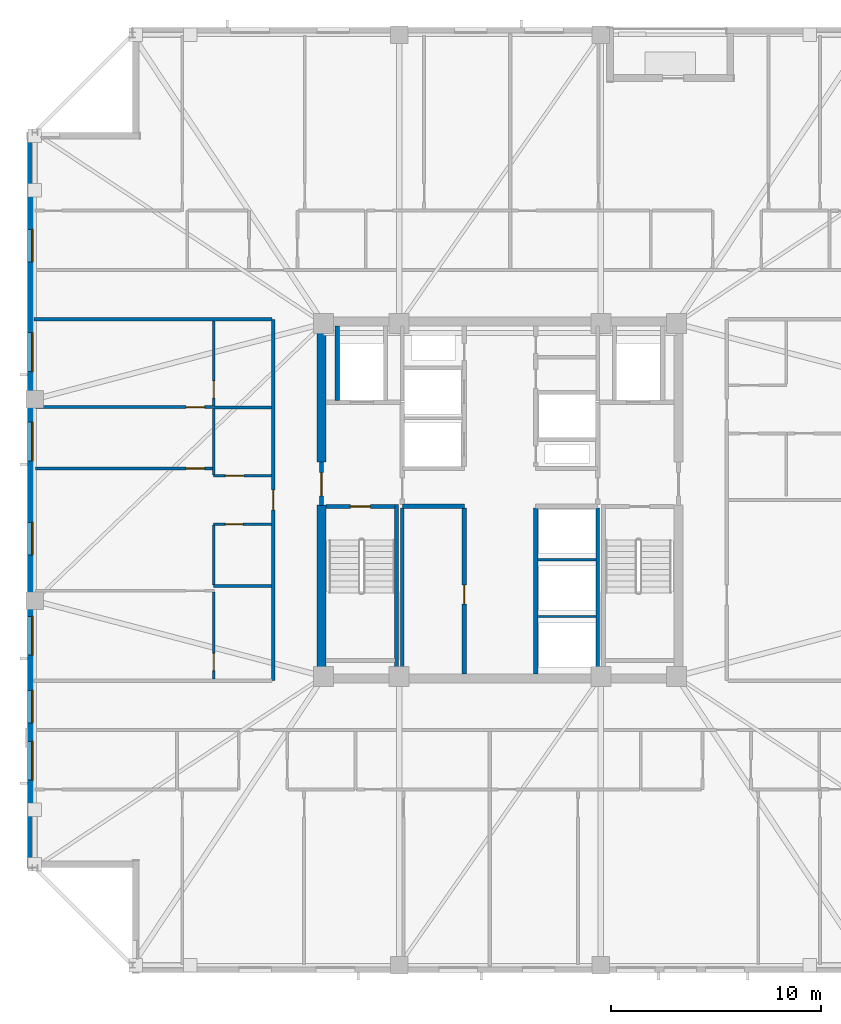
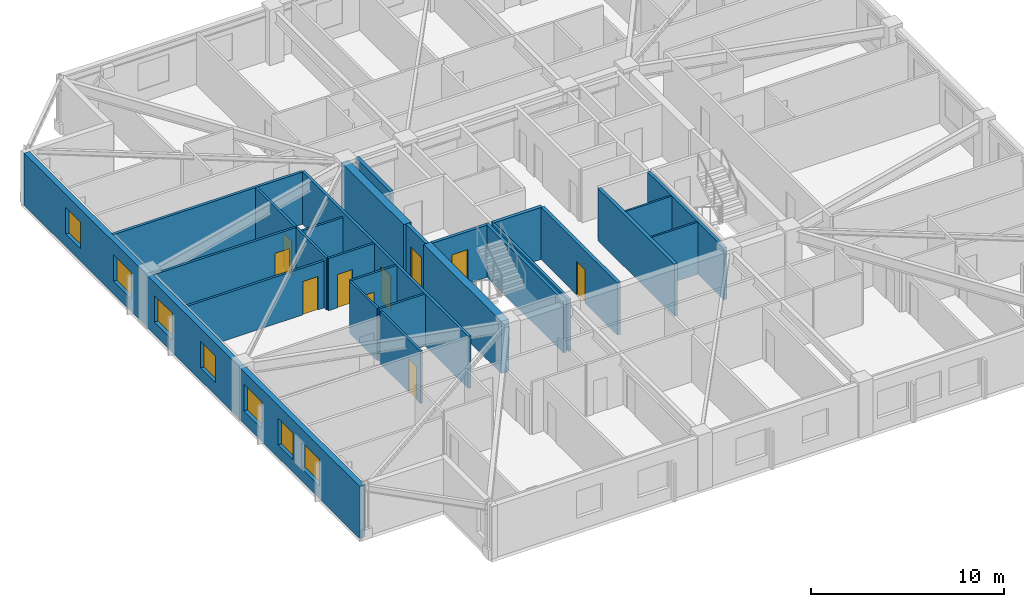
# One storey, part 8 of 17: 26 walls, 10 doors, 7 windows, 17 openings.
"""IFC4 building model written with IfcOpenShell, lengths in metres."""

from ifc_helpers import new_model, si_unit, direction, frame, frame_2d, origin, place, context, subcontext, project, spatial, rectangle, extrude, material, layer, layer_set, type_object, element, fill, save


model = new_model("IFC4")

# Units and contexts
model_context = context("Model", 3, precision=1e-05, world=origin(), true_north=direction((0.0, 1.0)))
body_context = subcontext(model_context, "Body", "Model", "MODEL_VIEW")
ifc_project = project(units=[si_unit("LENGTHUNIT", "METRE"), si_unit("AREAUNIT", "SQUARE_METRE"), si_unit("VOLUMEUNIT", "CUBIC_METRE"), si_unit("PLANEANGLEUNIT", "RADIAN"), si_unit("MASSUNIT", "GRAM", prefix="KILO")], contexts=[model_context])

# Site, building, storey
site_placement = place(None, origin())
site = spatial("IfcSite", under=ifc_project, at=site_placement, CompositionType="ELEMENT")
building_placement = place(site_placement, origin())
building = spatial("IfcBuilding", under=site, at=building_placement, Name="Cairnveth Concourse Tower", CompositionType="ELEMENT")
storey_placement = place(building_placement, frame((0.0, 0.0, 202.5)))
storey = spatial("IfcBuildingStorey", under=building, at=storey_placement, Name="L55", CompositionType="ELEMENT", Elevation=202.5)

# Wall
ifc_material_1 = material(Name="Gypsum Plasterboard Partition", Category="gypsum")
ifc_layer_1 = layer(ifc_material_1, 0.159912109375)
ifc_layer_set_1 = layer_set([ifc_layer_1], Name="Gypsum Plasterboard Partition")
wall_type_1 = type_object("IfcWallType", Name="ACOUSTIC PARTY WALL 180", PredefinedType="PARTITIONING", material=ifc_layer_set_1)
wall_1_placement = place(storey_placement, frame((47.35009765625, 30.7099609375, 0.0), z_axis=(0.0, 0.0, 1.0), x_axis=(0.0, 1.0, 0.0)))
element("IfcWall", 1, at=wall_1_placement, inside=storey, type_object=wall_type_1, Name="Interior Wall IW-L55-025", PredefinedType="PARTITIONING", context=body_context, shape_type="SweptSolid", body=[
    extrude(rectangle(XDim=7.905029296875, YDim=0.159912109375, at=frame_2d((3.95263671875, 0.0))), origin(), (0.0, 0.0, 1.0), 3.2900390625),
])

# Wall, opening, door
wall_2_placement = place(storey_placement, frame((41.199951171875, 30.39990234375, 0.0), z_axis=(0.0, 0.0, 1.0), x_axis=(0.0, 1.0, 0.0)))
wall_2 = element("IfcWall", 2, at=wall_2_placement, inside=storey, type_object=wall_type_1, Name="Interior Wall IW-L55-038", PredefinedType="PARTITIONING", context=body_context, shape_type="SweptSolid", body=[
    extrude(rectangle(XDim=17.2001953125, YDim=0.159912109375, at=frame_2d((8.60009765625, 0.0))), origin(), (0.0, 0.0, 1.0), 3.2900390625),
])
opening_1_placement = place(wall_2_placement, frame((8.1201171875, 0.0, 0.0)))
opening_1 = element("IfcOpeningElement", 3, at=opening_1_placement, cuts=wall_2, Name="Opening ID10", PredefinedType="OPENING", context=body_context, shape_type="SweptSolid", body=[
    extrude(rectangle(XDim=0.9599609375, YDim=2.179931640625, at=frame_2d((0.47998046875, 1.08984375))), frame((0.0, 0.08984375, 0.0), z_axis=(0.0, -1.0, 0.0), x_axis=(1.0, 0.0, 0.0)), (0.0, 0.0, 1.0), 0.179931640625),
])
ifc_material_2 = material(Name="Solid Core Hardwood Timber Leaf", Category="wood")
door_type_1 = type_object("IfcDoorType", Name="FLAT ENTRANCE DOOR 960X2150", OperationType="NOTDEFINED", PredefinedType="DOOR", material=ifc_material_2)
door_1_placement = place(opening_1_placement, origin())
door_1 = element("IfcDoor", 4, at=door_1_placement, inside=storey, type_object=door_type_1, Name="Apartment L55W1 Entrance Door", OperationType="SINGLE_SWING_LEFT", OverallHeight=2.179931640625, OverallWidth=0.9599609375, PredefinedType="DOOR", context=body_context, shape_type="SweptSolid", body=[
    extrude(rectangle(XDim=0.9599609375, YDim=2.179931640625, at=frame_2d((0.47998046875, 1.08984375))), frame((0.0, 0.02490234375, 0.0), z_axis=(0.0, -1.0, 0.0), x_axis=(1.0, 0.0, 0.0)), (0.0, 0.0, 1.0), 0.050048828125),
])
fill(opening_1, door_1)

# Walls
wall_3_placement = place(storey_placement, frame((29.804931640625, 47.60009765625, 0.0), z_axis=(0.0, 0.0, 1.0), x_axis=(1.0, 0.0, 0.0)))
element("IfcWall", 5, at=wall_3_placement, inside=storey, type_object=wall_type_1, Name="Interior Wall IW-L55-041", PredefinedType="PARTITIONING", context=body_context, shape_type="SweptSolid", body=[
    extrude(rectangle(XDim=11.330078125, YDim=0.159912109375, at=frame_2d((5.6650390625, 0.0))), origin(), (0.0, 0.0, 1.0), 3.2900390625),
])
ifc_material_3 = material(Name="Concrete N65 (65 MPa)", Category="concrete")
ifc_layer_2 = layer(ifc_material_3, 0.449951171875)
ifc_layer_set_2 = layer_set([ifc_layer_2], Name="Concrete N65 (65 MPa)")
wall_type_2 = type_object("IfcWallType", Name="CORE SHEAR WALL 450", PredefinedType="SHEAR", material=ifc_layer_set_2)
wall_4_placement = place(storey_placement, frame((43.5, 30.715087890625, 0.0), z_axis=(0.0, 0.0, 1.0), x_axis=(0.0, 1.0, 0.0)))
element("IfcWall", 6, at=wall_4_placement, inside=storey, type_object=wall_type_2, Name="Core West Shear Wall S L55", PredefinedType="SHEAR", context=body_context, shape_type="SweptSolid", body=[
    extrude(rectangle(XDim=8.034912109375, YDim=0.449951171875, at=frame_2d((4.017578125, 0.0))), origin(), (0.0, 0.0, 1.0), 3.2900390625),
])
wall_5_placement = place(storey_placement, frame((43.5, 40.800048828125, 0.0), z_axis=(0.0, 0.0, 1.0), x_axis=(0.0, 1.0, 0.0)))
element("IfcWall", 7, at=wall_5_placement, inside=storey, type_object=wall_type_2, Name="Core West Shear Wall N L55", PredefinedType="SHEAR", context=body_context, shape_type="SweptSolid", body=[
    extrude(rectangle(XDim=6.48486328125, YDim=0.449951171875, at=frame_2d((3.242431640625, 0.0))), origin(), (0.0, 0.0, 1.0), 3.2900390625),
])
ifc_material_4 = material(Name="Concrete N50 (50 MPa)", Category="concrete")
ifc_layer_3 = layer(ifc_material_4, 0.179931640625)
ifc_layer_set_3 = layer_set([ifc_layer_3], Name="Concrete N50 (50 MPa)")
wall_type_3 = type_object("IfcWallType", Name="FIRE SHAFT WALL 180", PredefinedType="SOLIDWALL", material=ifc_layer_set_3)
wall_6_placement = place(storey_placement, frame((56.64990234375, 30.7099609375, 0.0), z_axis=(0.0, 0.0, 1.0), x_axis=(0.0, 1.0, 0.0)))
element("IfcWall", 8, at=wall_6_placement, inside=storey, type_object=wall_type_3, Name="Interior Wall IW-L55-026", PredefinedType="SOLIDWALL", context=body_context, shape_type="SweptSolid", body=[
    extrude(rectangle(XDim=7.905029296875, YDim=0.179931640625, at=frame_2d((3.95263671875, 0.0))), origin(), (0.0, 0.0, 1.0), 3.2900390625),
])

# Wall, opening, door
wall_7_placement = place(storey_placement, frame((43.715087890625, 38.68994140625, 0.0), z_axis=(0.0, 0.0, 1.0), x_axis=(1.0, 0.0, 0.0)))
wall_7 = element("IfcWall", 9, at=wall_7_placement, inside=storey, type_object=wall_type_3, Name="Stair ST-1 Shaft Wall NEAR L55", PredefinedType="SOLIDWALL", context=body_context, shape_type="SweptSolid", body=[
    extrude(rectangle(XDim=3.280029296875, YDim=0.179931640625, at=frame_2d((1.64013671875, 0.0))), origin(), (0.0, 0.0, 1.0), 3.2900390625),
])
opening_2_placement = place(wall_7_placement, frame((1.1650390625, 0.0, 0.0)))
opening_2 = element("IfcOpeningElement", 10, at=opening_2_placement, cuts=wall_7, Name="Opening ID12", PredefinedType="OPENING", context=body_context, shape_type="SweptSolid", body=[
    extrude(rectangle(XDim=0.949951171875, YDim=2.14990234375, at=frame_2d((0.47509765625, 1.074951171875))), frame((0.0, 0.099853515625, 0.0), z_axis=(0.0, -1.0, 0.0), x_axis=(1.0, 0.0, 0.0)), (0.0, 0.0, 1.0), 0.199951171875),
])
ifc_material_5 = material(Name="Steel Grade 350", Category="steel")
door_type_2 = type_object("IfcDoorType", Name="FIRE STAIR DOOR 950X2150", OperationType="NOTDEFINED", PredefinedType="DOOR", material=ifc_material_5)
door_2_placement = place(opening_2_placement, origin())
door_2 = element("IfcDoor", 11, at=door_2_placement, inside=storey, type_object=door_type_2, Name="Stair ST-1 Fire Door L55", OperationType="SINGLE_SWING_LEFT", OverallHeight=2.14990234375, OverallWidth=0.949951171875, PredefinedType="DOOR", context=body_context, shape_type="SweptSolid", body=[
    extrude(rectangle(XDim=0.949951171875, YDim=2.14990234375, at=frame_2d((0.47509765625, 1.074951171875))), frame((0.0, 0.02490234375, 0.0), z_axis=(0.0, -1.0, 0.0), x_axis=(1.0, 0.0, 0.0)), (0.0, 0.0, 1.0), 0.050048828125),
])
fill(opening_2, door_2)

# Walls
wall_8_placement = place(storey_placement, frame((47.070068359375, 38.780029296875, 0.0), z_axis=(0.0, 0.0, 1.0), x_axis=(0.0, -1.0, 0.0)))
element("IfcWall", 12, at=wall_8_placement, inside=storey, type_object=wall_type_3, Name="Stair ST-1 Shaft Wall RGHT L55", PredefinedType="SOLIDWALL", context=body_context, shape_type="SweptSolid", body=[
    extrude(rectangle(XDim=8.067138671875, YDim=0.179931640625, at=frame_2d((4.03369140625, 0.0))), origin(), (0.0, 0.0, 1.0), 3.2900390625),
])
ifc_layer_4 = layer(ifc_material_4, 0.199951171875)
ifc_layer_set_4 = layer_set([ifc_layer_4], Name="Concrete N50 (50 MPa)")
wall_type_4 = type_object("IfcWallType", Name="FIRE SHAFT WALL 200", PredefinedType="SOLIDWALL", material=ifc_layer_set_4)
wall_9_placement = place(storey_placement, frame((47.35009765625, 38.699951171875, 0.0), z_axis=(0.0, 0.0, 1.0), x_axis=(1.0, 0.0, 0.0)))
element("IfcWall", 13, at=wall_9_placement, inside=storey, type_object=wall_type_4, Name="Interior Wall IW-L55-007", PredefinedType="SOLIDWALL", context=body_context, shape_type="SweptSolid", body=[
    extrude(rectangle(XDim=2.949951171875, YDim=0.199951171875, at=frame_2d((1.47509765625, 0.0))), origin(), (0.0, 0.0, 1.0), 3.2900390625),
])

# Wall, opening, door
wall_10_placement = place(storey_placement, frame((50.300048828125, 30.7099609375, 0.0), z_axis=(0.0, 0.0, 1.0), x_axis=(0.0, 1.0, 0.0)))
wall_10 = element("IfcWall", 14, at=wall_10_placement, inside=storey, type_object=wall_type_4, Name="Interior Wall IW-L55-011", PredefinedType="SOLIDWALL", context=body_context, shape_type="SweptSolid", body=[
    extrude(rectangle(XDim=7.905029296875, YDim=0.199951171875, at=frame_2d((3.95263671875, 0.0))), origin(), (0.0, 0.0, 1.0), 3.2900390625),
])
opening_3_placement = place(wall_10_placement, frame((3.340087890625, 0.0, 0.0)))
opening_3 = element("IfcOpeningElement", 15, at=opening_3_placement, cuts=wall_10, Name="Opening ID16", PredefinedType="OPENING", context=body_context, shape_type="SweptSolid", body=[
    extrude(rectangle(XDim=0.89990234375, YDim=2.1201171875, at=frame_2d((0.449951171875, 1.06005859375))), frame((0.0, 0.10986328125, 0.0), z_axis=(0.0, -1.0, 0.0), x_axis=(1.0, 0.0, 0.0)), (0.0, 0.0, 1.0), 0.219970703125),
])
door_type_3 = type_object("IfcDoorType", Name="CORE SERVICE DOOR 900X2100", OperationType="NOTDEFINED", PredefinedType="DOOR", material=ifc_material_5)
door_3_placement = place(opening_3_placement, origin())
door_3 = element("IfcDoor", 16, at=door_3_placement, inside=storey, type_object=door_type_3, Name="Linen Pantry Suite Door L55", OperationType="SINGLE_SWING_LEFT", OverallHeight=2.1201171875, OverallWidth=0.89990234375, PredefinedType="DOOR", context=body_context, shape_type="SweptSolid", body=[
    extrude(rectangle(XDim=0.89990234375, YDim=2.1201171875, at=frame_2d((0.449951171875, 1.06005859375))), frame((0.0, 0.02490234375, 0.0), z_axis=(0.0, -1.0, 0.0), x_axis=(1.0, 0.0, 0.0)), (0.0, 0.0, 1.0), 0.050048828125),
])
fill(opening_3, door_3)

# Wall
wall_11_placement = place(storey_placement, frame((53.699951171875, 30.7099609375, 0.0), z_axis=(0.0, 0.0, 1.0), x_axis=(0.0, 1.0, 0.0)))
element("IfcWall", 17, at=wall_11_placement, inside=storey, type_object=wall_type_4, Name="Interior Wall IW-L55-012", PredefinedType="SOLIDWALL", context=body_context, shape_type="SweptSolid", body=[
    extrude(rectangle(XDim=7.905029296875, YDim=0.199951171875, at=frame_2d((3.95263671875, 0.0))), origin(), (0.0, 0.0, 1.0), 3.2900390625),
])

# Wall, opening, door
wall_12_placement = place(storey_placement, frame((43.5, 38.75, 0.0), z_axis=(0.0, 0.0, 1.0), x_axis=(0.0, 1.0, 0.0)))
wall_12 = element("IfcWall", 18, at=wall_12_placement, inside=storey, type_object=wall_type_4, Name="Interior Wall IW-L55-015", PredefinedType="SOLIDWALL", context=body_context, shape_type="SweptSolid", body=[
    extrude(rectangle(XDim=2.050048828125, YDim=0.199951171875, at=frame_2d((1.02490234375, 0.0))), origin(), (0.0, 0.0, 1.0), 3.2900390625),
])
opening_4_placement = place(wall_12_placement, frame((0.449951171875, 0.0, 0.0)))
opening_4 = element("IfcOpeningElement", 19, at=opening_4_placement, cuts=wall_12, Name="Opening ID06", PredefinedType="OPENING", context=body_context, shape_type="SweptSolid", body=[
    extrude(rectangle(XDim=1.10009765625, YDim=2.14990234375, at=frame_2d((0.550048828125, 1.074951171875))), frame((0.0, 0.10986328125, 0.0), z_axis=(0.0, -1.0, 0.0), x_axis=(1.0, 0.0, 0.0)), (0.0, 0.0, 1.0), 0.219970703125),
])
door_type_4 = type_object("IfcDoorType", Name="FIRE CORRIDOR DOOR 1100X2150", OperationType="NOTDEFINED", PredefinedType="DOOR", material=ifc_material_5)
door_4_placement = place(opening_4_placement, origin())
door_4 = element("IfcDoor", 20, at=door_4_placement, inside=storey, type_object=door_type_4, Name="West Wing to FF Lobby Door L55", OperationType="SINGLE_SWING_LEFT", OverallHeight=2.14990234375, OverallWidth=1.10009765625, PredefinedType="DOOR", context=body_context, shape_type="SweptSolid", body=[
    extrude(rectangle(XDim=1.10009765625, YDim=2.14990234375, at=frame_2d((0.550048828125, 1.074951171875))), frame((0.0, 0.02490234375, 0.0), z_axis=(0.0, -1.0, 0.0), x_axis=(1.0, 0.0, 0.0)), (0.0, 0.0, 1.0), 0.050048828125),
])
fill(opening_4, door_4)

# Wall
wall_13_placement = place(storey_placement, frame((44.25, 43.735107421875, 0.0), z_axis=(0.0, 0.0, 1.0), x_axis=(0.0, 1.0, 0.0)))
element("IfcWall", 21, at=wall_13_placement, inside=storey, type_object=wall_type_4, Name="Interior Wall IW-L55-019", PredefinedType="SOLIDWALL", context=body_context, shape_type="SweptSolid", body=[
    extrude(rectangle(XDim=3.554931640625, YDim=0.199951171875, at=frame_2d((1.77734375, 0.0))), origin(), (0.0, 0.0, 1.0), 3.2900390625),
])

# Wall, opening, door
ifc_layer_5 = layer(ifc_material_1, 0.139892578125)
ifc_layer_set_5 = layer_set([ifc_layer_5], Name="Gypsum Plasterboard Partition")
wall_type_5 = type_object("IfcWallType", Name="GYPSUM STUD PARTITION 140", PredefinedType="PARTITIONING", material=ifc_layer_set_5)
wall_14_placement = place(storey_placement, frame((38.3701171875, 30.465087890625, 0.0), z_axis=(0.0, 0.0, 1.0), x_axis=(0.0, 1.0, 0.0)))
wall_14 = element("IfcWall", 22, at=wall_14_placement, inside=storey, type_object=wall_type_5, Name="Interior Wall IW-L55-097", PredefinedType="PARTITIONING", context=body_context, shape_type="SweptSolid", body=[
    extrude(rectangle(XDim=4.159912109375, YDim=0.139892578125, at=frame_2d((2.080078125, 0.0))), origin(), (0.0, 0.0, 1.0), 3.2900390625),
])
opening_5_placement = place(wall_14_placement, frame((0.4150390625, 0.0, 0.0)))
opening_5 = element("IfcOpeningElement", 23, at=opening_5_placement, cuts=wall_14, Name="Opening ID22", PredefinedType="OPENING", context=body_context, shape_type="SweptSolid", body=[
    extrude(rectangle(XDim=0.820068359375, YDim=2.10009765625, at=frame_2d((0.41015625, 1.050048828125))), frame((0.0, 0.079833984375, 0.0), z_axis=(0.0, -1.0, 0.0), x_axis=(1.0, 0.0, 0.0)), (0.0, 0.0, 1.0), 0.159912109375),
])
door_type_5 = type_object("IfcDoorType", Name="INTERIOR WC DOOR 820X2100", OperationType="NOTDEFINED", PredefinedType="DOOR", material=ifc_material_2)
door_5_placement = place(opening_5_placement, origin())
door_5 = element("IfcDoor", 24, at=door_5_placement, inside=storey, type_object=door_type_5, Name="L55W1 Dressing Door", OperationType="SINGLE_SWING_RIGHT", OverallHeight=2.10009765625, OverallWidth=0.820068359375, PredefinedType="DOOR", context=body_context, shape_type="SweptSolid", body=[
    extrude(rectangle(XDim=0.820068359375, YDim=2.10009765625, at=frame_2d((0.41015625, 1.050048828125))), frame((0.0, 0.02490234375, 0.0), z_axis=(0.0, -1.0, 0.0), x_axis=(1.0, 0.0, 0.0)), (0.0, 0.0, 1.0), 0.050048828125),
])
fill(opening_5, door_5)

wall_15_placement = place(storey_placement, frame((29.8798828125, 43.419921875, 0.0), z_axis=(0.0, 0.0, 1.0), x_axis=(1.0, 0.0, 0.0)))
wall_15 = element("IfcWall", 25, at=wall_15_placement, inside=storey, type_object=wall_type_5, Name="Interior Wall IW-L55-098", PredefinedType="PARTITIONING", context=body_context, shape_type="SweptSolid", body=[
    extrude(rectangle(XDim=8.440185546875, YDim=0.139892578125, at=frame_2d((4.22021484375, 0.0))), origin(), (0.0, 0.0, 1.0), 3.2900390625),
])
opening_6_placement = place(wall_15_placement, frame((7.179931640625, 0.0, 0.0)))
opening_6 = element("IfcOpeningElement", 26, at=opening_6_placement, cuts=wall_15, Name="Opening ID18", PredefinedType="OPENING", context=body_context, shape_type="SweptSolid", body=[
    extrude(rectangle(XDim=0.8798828125, YDim=2.10009765625, at=frame_2d((0.43994140625, 1.050048828125))), frame((0.0, 0.079833984375, 0.0), z_axis=(0.0, -1.0, 0.0), x_axis=(1.0, 0.0, 0.0)), (0.0, 0.0, 1.0), 0.159912109375),
])
door_type_6 = type_object("IfcDoorType", Name="INTERIOR SINGLE DOOR 880X2100", OperationType="NOTDEFINED", PredefinedType="DOOR", material=ifc_material_2)
door_6_placement = place(opening_6_placement, origin())
door_6 = element("IfcDoor", 27, at=door_6_placement, inside=storey, type_object=door_type_6, Name="L55W1 Bedroom 2 Door", OperationType="SINGLE_SWING_LEFT", OverallHeight=2.10009765625, OverallWidth=0.8798828125, PredefinedType="DOOR", context=body_context, shape_type="SweptSolid", body=[
    extrude(rectangle(XDim=0.8798828125, YDim=2.10009765625, at=frame_2d((0.43994140625, 1.050048828125))), frame((0.0, 0.02490234375, 0.0), z_axis=(0.0, -1.0, 0.0), x_axis=(1.0, 0.0, 0.0)), (0.0, 0.0, 1.0), 0.050048828125),
])
fill(opening_6, door_6)

wall_16_placement = place(storey_placement, frame((38.3701171875, 43.47509765625, 0.0), z_axis=(0.0, 0.0, 1.0), x_axis=(0.0, 1.0, 0.0)))
wall_16 = element("IfcWall", 28, at=wall_16_placement, inside=storey, type_object=wall_type_5, Name="Interior Wall IW-L55-099", PredefinedType="PARTITIONING", context=body_context, shape_type="SweptSolid", body=[
    extrude(rectangle(XDim=4.059814453125, YDim=0.139892578125, at=frame_2d((2.02978515625, 0.0))), origin(), (0.0, 0.0, 1.0), 3.2900390625),
])
opening_7_placement = place(wall_16_placement, frame((0.375, 0.0, 0.0)))
opening_7 = element("IfcOpeningElement", 29, at=opening_7_placement, cuts=wall_16, Name="Opening ID22", PredefinedType="OPENING", context=body_context, shape_type="SweptSolid", body=[
    extrude(rectangle(XDim=0.820068359375, YDim=2.10009765625, at=frame_2d((0.41015625, 1.050048828125))), frame((0.0, 0.079833984375, 0.0), z_axis=(0.0, -1.0, 0.0), x_axis=(1.0, 0.0, 0.0)), (0.0, 0.0, 1.0), 0.159912109375),
])
door_7_placement = place(opening_7_placement, origin())
door_7 = element("IfcDoor", 30, at=door_7_placement, inside=storey, type_object=door_type_5, Name="L55W1 Utility Door", OperationType="SINGLE_SWING_RIGHT", OverallHeight=2.10009765625, OverallWidth=0.820068359375, PredefinedType="DOOR", context=body_context, shape_type="SweptSolid", body=[
    extrude(rectangle(XDim=0.820068359375, YDim=2.10009765625, at=frame_2d((0.41015625, 1.050048828125))), frame((0.0, 0.02490234375, 0.0), z_axis=(0.0, -1.0, 0.0), x_axis=(1.0, 0.0, 0.0)), (0.0, 0.0, 1.0), 0.050048828125),
])
fill(opening_7, door_7)

wall_17_placement = place(storey_placement, frame((29.8798828125, 40.5, 0.0), z_axis=(0.0, 0.0, 1.0), x_axis=(1.0, 0.0, 0.0)))
wall_17 = element("IfcWall", 31, at=wall_17_placement, inside=storey, type_object=wall_type_5, Name="Interior Wall IW-L55-100", PredefinedType="PARTITIONING", context=body_context, shape_type="SweptSolid", body=[
    extrude(rectangle(XDim=8.440185546875, YDim=0.139892578125, at=frame_2d((4.22021484375, 0.0))), origin(), (0.0, 0.0, 1.0), 2.9580078125),
])
opening_8_placement = place(wall_17_placement, frame((7.179931640625, 0.0, 0.0)))
opening_8 = element("IfcOpeningElement", 32, at=opening_8_placement, cuts=wall_17, Name="Opening ID18", PredefinedType="OPENING", context=body_context, shape_type="SweptSolid", body=[
    extrude(rectangle(XDim=0.8798828125, YDim=2.10009765625, at=frame_2d((0.43994140625, 1.050048828125))), frame((0.0, 0.079833984375, 0.0), z_axis=(0.0, -1.0, 0.0), x_axis=(1.0, 0.0, 0.0)), (0.0, 0.0, 1.0), 0.159912109375),
])
door_8_placement = place(opening_8_placement, origin())
door_8 = element("IfcDoor", 33, at=door_8_placement, inside=storey, type_object=door_type_6, Name="L55W1 Media Lounge Door", OperationType="SINGLE_SWING_RIGHT", OverallHeight=2.10009765625, OverallWidth=0.8798828125, PredefinedType="DOOR", context=body_context, shape_type="SweptSolid", body=[
    extrude(rectangle(XDim=0.8798828125, YDim=2.10009765625, at=frame_2d((0.43994140625, 1.050048828125))), frame((0.0, 0.02490234375, 0.0), z_axis=(0.0, -1.0, 0.0), x_axis=(1.0, 0.0, 0.0)), (0.0, 0.0, 1.0), 0.050048828125),
])
fill(opening_8, door_8)

# Walls
ifc_layer_6 = layer(ifc_material_1, 0.110107421875)
ifc_layer_set_6 = layer_set([ifc_layer_6], Name="Gypsum Plasterboard Partition")
wall_type_6 = type_object("IfcWallType", Name="SHAFT DIVIDER WALL 140", PredefinedType="PARTITIONING", material=ifc_layer_set_6)
for number, where, z_axis, x_axis, name in (
    (34, (53.784912109375, 33.449951171875, 0.0), (0.0, 0.0, 1.0), (1.0, 0.0, 0.0), "Interior Wall IW-L55-027"),
    (35, (53.784912109375, 36.14990234375, 0.0), (0.0, 0.0, 1.0), (1.0, 0.0, 0.0), "Interior Wall IW-L55-028"),
):
    element("IfcWall", number, at=place(storey_placement, frame(where, z_axis=z_axis, x_axis=x_axis)), inside=storey, type_object=wall_type_6, Name=name, PredefinedType="PARTITIONING", context=body_context, shape_type="SweptSolid", body=[
        extrude(rectangle(XDim=2.7900390625, YDim=0.110107421875, at=frame_2d((1.39501953125, 0.0))), origin(), (0.0, 0.0, 1.0), 3.2900390625),
    ])
ifc_layer_7 = layer(ifc_material_1, 0.1298828125)
ifc_layer_set_7 = layer_set([ifc_layer_7], Name="Gypsum Plasterboard Partition")
wall_type_7 = type_object("IfcWallType", Name="WET AREA PARTITION 140", PredefinedType="PLUMBINGWALL", material=ifc_layer_set_7)
wall_18_placement = place(storey_placement, frame((38.3701171875, 34.89990234375, 0.0), z_axis=(0.0, 0.0, 1.0), x_axis=(1.0, 0.0, 0.0)))
element("IfcWall", 36, at=wall_18_placement, inside=storey, type_object=wall_type_7, Name="Interior Wall IW-L55-090", PredefinedType="PLUMBINGWALL", context=body_context, shape_type="SweptSolid", body=[
    extrude(rectangle(XDim=2.75, YDim=0.1298828125, at=frame_2d((1.375, 0.0))), origin(), (0.0, 0.0, 1.0), 3.2900390625),
])

# Wall, opening, door
wall_19_placement = place(storey_placement, frame((38.3701171875, 37.85009765625, 0.0), z_axis=(0.0, 0.0, 1.0), x_axis=(1.0, 0.0, 0.0)))
wall_19 = element("IfcWall", 37, at=wall_19_placement, inside=storey, type_object=wall_type_7, Name="Interior Wall IW-L55-091", PredefinedType="PLUMBINGWALL", context=body_context, shape_type="SweptSolid", body=[
    extrude(rectangle(XDim=2.75, YDim=0.1298828125, at=frame_2d((1.375, 0.0))), origin(), (0.0, 0.0, 1.0), 3.2900390625),
])
opening_9_placement = place(wall_19_placement, frame((0.550048828125, 0.0, 0.0)))
opening_9 = element("IfcOpeningElement", 38, at=opening_9_placement, cuts=wall_19, Name="Opening ID21", PredefinedType="OPENING", context=body_context, shape_type="SweptSolid", body=[
    extrude(rectangle(XDim=0.85009765625, YDim=2.080078125, at=frame_2d((0.425048828125, 1.0400390625))), frame((0.0, 0.074951171875, 0.0), z_axis=(0.0, -1.0, 0.0), x_axis=(1.0, 0.0, 0.0)), (0.0, 0.0, 1.0), 0.14990234375),
])
door_type_7 = type_object("IfcDoorType", Name="INTERIOR WC DOOR 850X2100", OperationType="NOTDEFINED", PredefinedType="DOOR", material=ifc_material_2)
door_9_placement = place(opening_9_placement, origin())
door_9 = element("IfcDoor", 39, at=door_9_placement, inside=storey, type_object=door_type_7, Name="L55W1 Bathroom Door", OperationType="SINGLE_SWING_RIGHT", OverallHeight=2.080078125, OverallWidth=0.85009765625, PredefinedType="DOOR", context=body_context, shape_type="SweptSolid", body=[
    extrude(rectangle(XDim=0.85009765625, YDim=2.080078125, at=frame_2d((0.425048828125, 1.0400390625))), frame((0.0, 0.02490234375, 0.0), z_axis=(0.0, -1.0, 0.0), x_axis=(1.0, 0.0, 0.0)), (0.0, 0.0, 1.0), 0.050048828125),
])
fill(opening_9, door_9)

# Walls
wall_20_placement = place(storey_placement, frame((38.3701171875, 34.949951171875, 0.0), z_axis=(0.0, 0.0, 1.0), x_axis=(0.0, 1.0, 0.0)))
element("IfcWall", 40, at=wall_20_placement, inside=storey, type_object=wall_type_7, Name="Interior Wall IW-L55-092", PredefinedType="PLUMBINGWALL", context=body_context, shape_type="SweptSolid", body=[
    extrude(rectangle(XDim=2.85009765625, YDim=0.1298828125, at=frame_2d((1.425048828125, 0.0))), origin(), (0.0, 0.0, 1.0), 3.2900390625),
])
wall_21_placement = place(storey_placement, frame((38.3701171875, 43.39990234375, 0.0), z_axis=(0.0, 0.0, 1.0), x_axis=(1.0, 0.0, 0.0)))
element("IfcWall", 41, at=wall_21_placement, inside=storey, type_object=wall_type_7, Name="Interior Wall IW-L55-093", PredefinedType="PLUMBINGWALL", context=body_context, shape_type="SweptSolid", body=[
    extrude(rectangle(XDim=2.75, YDim=0.1298828125, at=frame_2d((1.375, 0.0))), origin(), (0.0, 0.0, 1.0), 2.9580078125),
])

# Wall, opening, door
wall_22_placement = place(storey_placement, frame((38.3701171875, 40.14990234375, 0.0), z_axis=(0.0, 0.0, 1.0), x_axis=(1.0, 0.0, 0.0)))
wall_22 = element("IfcWall", 42, at=wall_22_placement, inside=storey, type_object=wall_type_7, Name="Interior Wall IW-L55-094", PredefinedType="PLUMBINGWALL", context=body_context, shape_type="SweptSolid", body=[
    extrude(rectangle(XDim=2.75, YDim=0.1298828125, at=frame_2d((1.375, 0.0))), origin(), (0.0, 0.0, 1.0), 3.2900390625),
])
opening_10_placement = place(wall_22_placement, frame((0.550048828125, 0.0, 0.0)))
opening_10 = element("IfcOpeningElement", 43, at=opening_10_placement, cuts=wall_22, Name="Opening ID18", PredefinedType="OPENING", context=body_context, shape_type="SweptSolid", body=[
    extrude(rectangle(XDim=0.8798828125, YDim=2.10009765625, at=frame_2d((0.43994140625, 1.050048828125))), frame((0.0, 0.074951171875, 0.0), z_axis=(0.0, -1.0, 0.0), x_axis=(1.0, 0.0, 0.0)), (0.0, 0.0, 1.0), 0.14990234375),
])
door_10_placement = place(opening_10_placement, origin())
door_10 = element("IfcDoor", 44, at=door_10_placement, inside=storey, type_object=door_type_6, Name="L55W1 Kitchen Door", OperationType="SINGLE_SWING_LEFT", OverallHeight=2.10009765625, OverallWidth=0.8798828125, PredefinedType="DOOR", context=body_context, shape_type="SweptSolid", body=[
    extrude(rectangle(XDim=0.8798828125, YDim=2.10009765625, at=frame_2d((0.43994140625, 1.050048828125))), frame((0.0, 0.02490234375, 0.0), z_axis=(0.0, -1.0, 0.0), x_axis=(1.0, 0.0, 0.0)), (0.0, 0.0, 1.0), 0.050048828125),
])
fill(opening_10, door_10)

# Wall
wall_23_placement = place(storey_placement, frame((38.3701171875, 40.199951171875, 0.0), z_axis=(0.0, 0.0, 1.0), x_axis=(0.0, 1.0, 0.0)))
element("IfcWall", 45, at=wall_23_placement, inside=storey, type_object=wall_type_7, Name="Interior Wall IW-L55-095", PredefinedType="PLUMBINGWALL", context=body_context, shape_type="SweptSolid", body=[
    extrude(rectangle(XDim=3.150146484375, YDim=0.1298828125, at=frame_2d((1.5751953125, 0.0))), origin(), (0.0, 0.0, 1.0), 3.2900390625),
])

# Wall, openings, windows
ifc_material_6 = material(Name="Melbourne Buff Fired Clay Brick Masonry", Category="masonry")
ifc_layer_8 = layer(ifc_material_6, 0.320068359375)
ifc_layer_set_8 = layer_set([ifc_layer_8], Name="Melbourne Buff Fired Clay Brick Masonry")
wall_type_8 = type_object("IfcWallType", Name="ZONE 3 BRICK PIER SPANDREL WALL 320", PredefinedType="SOLIDWALL", material=ifc_layer_set_8)
wall_24_placement = place(storey_placement, frame((29.659912109375, 21.5, 0.0), z_axis=(0.0, 0.0, 1.0), x_axis=(0.0, 1.0, 0.0)))
wall_24 = element("IfcWall", 46, at=wall_24_placement, inside=storey, type_object=wall_type_8, Name="Exterior Wall EW-L55-S09", PredefinedType="SOLIDWALL", context=body_context, shape_type="SweptSolid", body=[
    extrude(rectangle(XDim=34.701904296875, YDim=0.320068359375, at=frame_2d((17.35107421875, 0.0))), origin(), (0.0, 0.0, 1.0), 3.2900390625),
])
opening_11_placement = place(wall_24_placement, frame((4.16259765625, 0.0, 0.800048828125)))
opening_11 = element("IfcOpeningElement", 47, at=opening_11_placement, cuts=wall_24, Name="Opening W08", PredefinedType="OPENING", context=body_context, shape_type="SweptSolid", body=[
    extrude(rectangle(XDim=1.85009765625, YDim=1.677978515625, at=frame_2d((0.925048828125, 0.8388671875))), frame((0.0, 0.169921875, 0.0), z_axis=(0.0, -1.0, 0.0), x_axis=(1.0, 0.0, 0.0)), (0.0, 0.0, 1.0), 0.340087890625),
])
opening_12_placement = place(wall_24_placement, frame((6.887939453125, 0.0, 0.800048828125)))
opening_12 = element("IfcOpeningElement", 48, at=opening_12_placement, cuts=wall_24, Name="Opening W07", PredefinedType="OPENING", context=body_context, shape_type="SweptSolid", body=[
    extrude(rectangle(XDim=1.550048828125, YDim=1.677978515625, at=frame_2d((0.77490234375, 0.8388671875))), frame((0.0, 0.169921875, 0.0), z_axis=(0.0, -1.0, 0.0), x_axis=(1.0, 0.0, 0.0)), (0.0, 0.0, 1.0), 0.340087890625),
])
opening_13_placement = place(wall_24_placement, frame((10.113037109375, 0.0, 0.800048828125)))
opening_13 = element("IfcOpeningElement", 49, at=opening_13_placement, cuts=wall_24, Name="Opening W08", PredefinedType="OPENING", context=body_context, shape_type="SweptSolid", body=[
    extrude(rectangle(XDim=1.85009765625, YDim=1.677978515625, at=frame_2d((0.925048828125, 0.8388671875))), frame((0.0, 0.169921875, 0.0), z_axis=(0.0, -1.0, 0.0), x_axis=(1.0, 0.0, 0.0)), (0.0, 0.0, 1.0), 0.340087890625),
])
opening_14_placement = place(wall_24_placement, frame((14.888427734375, 0.0, 0.800048828125)))
opening_14 = element("IfcOpeningElement", 50, at=opening_14_placement, cuts=wall_24, Name="Opening W07", PredefinedType="OPENING", context=body_context, shape_type="SweptSolid", body=[
    extrude(rectangle(XDim=1.550048828125, YDim=1.677978515625, at=frame_2d((0.77490234375, 0.8388671875))), frame((0.0, 0.169921875, 0.0), z_axis=(0.0, -1.0, 0.0), x_axis=(1.0, 0.0, 0.0)), (0.0, 0.0, 1.0), 0.340087890625),
])
opening_15_placement = place(wall_24_placement, frame((19.363525390625, 0.0, 0.800048828125)))
opening_15 = element("IfcOpeningElement", 51, at=opening_15_placement, cuts=wall_24, Name="Opening W08", PredefinedType="OPENING", context=body_context, shape_type="SweptSolid", body=[
    extrude(rectangle(XDim=1.85009765625, YDim=1.677978515625, at=frame_2d((0.925048828125, 0.8388671875))), frame((0.0, 0.169921875, 0.0), z_axis=(0.0, -1.0, 0.0), x_axis=(1.0, 0.0, 0.0)), (0.0, 0.0, 1.0), 0.340087890625),
])
opening_16_placement = place(wall_24_placement, frame((23.614013671875, 0.0, 0.800048828125)))
opening_16 = element("IfcOpeningElement", 52, at=opening_16_placement, cuts=wall_24, Name="Opening W08", PredefinedType="OPENING", context=body_context, shape_type="SweptSolid", body=[
    extrude(rectangle(XDim=1.85009765625, YDim=1.677978515625, at=frame_2d((0.925048828125, 0.8388671875))), frame((0.0, 0.169921875, 0.0), z_axis=(0.0, -1.0, 0.0), x_axis=(1.0, 0.0, 0.0)), (0.0, 0.0, 1.0), 0.340087890625),
])
opening_17_placement = place(wall_24_placement, frame((28.83935546875, 0.0, 0.800048828125)))
opening_17 = element("IfcOpeningElement", 53, at=opening_17_placement, cuts=wall_24, Name="Opening W07", PredefinedType="OPENING", context=body_context, shape_type="SweptSolid", body=[
    extrude(rectangle(XDim=1.550048828125, YDim=1.677978515625, at=frame_2d((0.77490234375, 0.8388671875))), frame((0.0, 0.169921875, 0.0), z_axis=(0.0, -1.0, 0.0), x_axis=(1.0, 0.0, 0.0)), (0.0, 0.0, 1.0), 0.340087890625),
])
ifc_material_7 = material(Name="Double Glazed Low-E Clear Glass", Category="glass")
window_type_1 = type_object("IfcWindowType", Name="DEEP-SET APARTMENT LIVING WINDOW 1850X1850", PartitioningType="DOUBLE_PANEL_VERTICAL", PredefinedType="WINDOW", material=ifc_material_7)
window_1_placement = place(opening_11_placement, origin())
window_1 = element("IfcWindow", 54, at=window_1_placement, inside=storey, type_object=window_type_1, Name="Gothic Lancet Window L55-9-1", OverallHeight=1.677978515625, OverallWidth=1.85009765625, PartitioningType="SINGLE_PANEL", PredefinedType="WINDOW", context=body_context, shape_type="SweptSolid", body=[
    extrude(rectangle(XDim=1.85009765625, YDim=1.677978515625, at=frame_2d((0.925048828125, 0.8388671875))), frame((0.0, -0.050048828125, 0.0), z_axis=(0.0, -1.0, 0.0), x_axis=(1.0, 0.0, 0.0)), (0.0, 0.0, 1.0), 0.06005859375),
])
fill(opening_11, window_1)
window_2_placement = place(opening_13_placement, origin())
window_2 = element("IfcWindow", 55, at=window_2_placement, inside=storey, type_object=window_type_1, Name="Gothic Lancet Window L55-9-3", OverallHeight=1.677978515625, OverallWidth=1.85009765625, PartitioningType="SINGLE_PANEL", PredefinedType="WINDOW", context=body_context, shape_type="SweptSolid", body=[
    extrude(rectangle(XDim=1.85009765625, YDim=1.677978515625, at=frame_2d((0.925048828125, 0.8388671875))), frame((0.0, -0.050048828125, 0.0), z_axis=(0.0, -1.0, 0.0), x_axis=(1.0, 0.0, 0.0)), (0.0, 0.0, 1.0), 0.06005859375),
])
fill(opening_13, window_2)
window_3_placement = place(opening_15_placement, origin())
window_3 = element("IfcWindow", 56, at=window_3_placement, inside=storey, type_object=window_type_1, Name="Gothic Lancet Window L55-9-5", OverallHeight=1.677978515625, OverallWidth=1.85009765625, PartitioningType="SINGLE_PANEL", PredefinedType="WINDOW", context=body_context, shape_type="SweptSolid", body=[
    extrude(rectangle(XDim=1.85009765625, YDim=1.677978515625, at=frame_2d((0.925048828125, 0.8388671875))), frame((0.0, -0.050048828125, 0.0), z_axis=(0.0, -1.0, 0.0), x_axis=(1.0, 0.0, 0.0)), (0.0, 0.0, 1.0), 0.06005859375),
])
fill(opening_15, window_3)
window_4_placement = place(opening_16_placement, origin())
window_4 = element("IfcWindow", 57, at=window_4_placement, inside=storey, type_object=window_type_1, Name="Gothic Lancet Window L55-9-7", OverallHeight=1.677978515625, OverallWidth=1.85009765625, PartitioningType="SINGLE_PANEL", PredefinedType="WINDOW", context=body_context, shape_type="SweptSolid", body=[
    extrude(rectangle(XDim=1.85009765625, YDim=1.677978515625, at=frame_2d((0.925048828125, 0.8388671875))), frame((0.0, -0.050048828125, 0.0), z_axis=(0.0, -1.0, 0.0), x_axis=(1.0, 0.0, 0.0)), (0.0, 0.0, 1.0), 0.06005859375),
])
fill(opening_16, window_4)
window_type_2 = type_object("IfcWindowType", Name="DEEP-SET APARTMENT WINDOW 1550X1800", PartitioningType="DOUBLE_PANEL_VERTICAL", PredefinedType="WINDOW", material=ifc_material_7)
window_5_placement = place(opening_12_placement, origin())
window_5 = element("IfcWindow", 58, at=window_5_placement, inside=storey, type_object=window_type_2, Name="Gothic Lancet Window L55-9-2", OverallHeight=1.677978515625, OverallWidth=1.550048828125, PartitioningType="SINGLE_PANEL", PredefinedType="WINDOW", context=body_context, shape_type="SweptSolid", body=[
    extrude(rectangle(XDim=1.550048828125, YDim=1.677978515625, at=frame_2d((0.77490234375, 0.8388671875))), frame((0.0, -0.050048828125, 0.0), z_axis=(0.0, -1.0, 0.0), x_axis=(1.0, 0.0, 0.0)), (0.0, 0.0, 1.0), 0.06005859375),
])
fill(opening_12, window_5)
window_6_placement = place(opening_14_placement, origin())
window_6 = element("IfcWindow", 59, at=window_6_placement, inside=storey, type_object=window_type_2, Name="Gothic Lancet Window L55-9-4", OverallHeight=1.677978515625, OverallWidth=1.550048828125, PartitioningType="SINGLE_PANEL", PredefinedType="WINDOW", context=body_context, shape_type="SweptSolid", body=[
    extrude(rectangle(XDim=1.550048828125, YDim=1.677978515625, at=frame_2d((0.77490234375, 0.8388671875))), frame((0.0, -0.050048828125, 0.0), z_axis=(0.0, -1.0, 0.0), x_axis=(1.0, 0.0, 0.0)), (0.0, 0.0, 1.0), 0.06005859375),
])
fill(opening_14, window_6)
window_7_placement = place(opening_17_placement, origin())
window_7 = element("IfcWindow", 60, at=window_7_placement, inside=storey, type_object=window_type_2, Name="Gothic Lancet Window L55-9-8", OverallHeight=1.677978515625, OverallWidth=1.550048828125, PartitioningType="SINGLE_PANEL", PredefinedType="WINDOW", context=body_context, shape_type="SweptSolid", body=[
    extrude(rectangle(XDim=1.550048828125, YDim=1.677978515625, at=frame_2d((0.77490234375, 0.8388671875))), frame((0.0, -0.050048828125, 0.0), z_axis=(0.0, -1.0, 0.0), x_axis=(1.0, 0.0, 0.0)), (0.0, 0.0, 1.0), 0.06005859375),
])
fill(opening_17, window_7)

save(model, "model.ifc")
